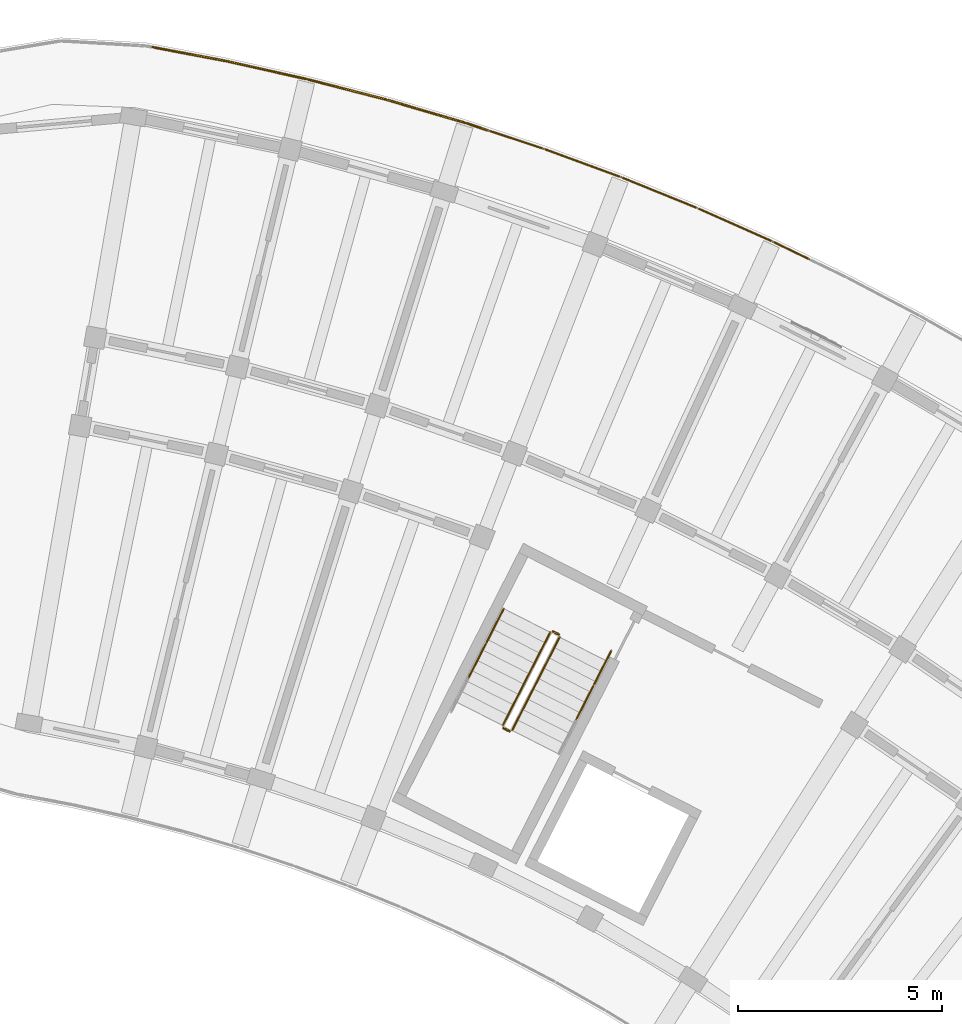
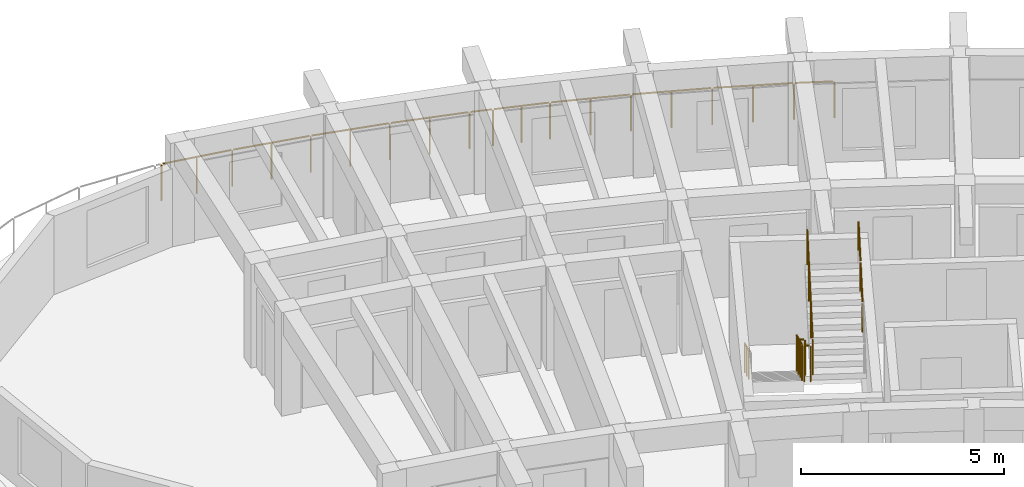
# One storey, part 55 of 56: 10 railings.
"""IFC4 building model written with IfcOpenShell, lengths in metres."""

from ifc_helpers import new_model, si_unit, direction, frame, origin, origin_2d, place, context, subcontext, project, spatial, circle, extrude, material, type_object, element, save


model = new_model("IFC4")

# Units and contexts
model_context = context("Model", 3, precision=1e-05, world=origin(), true_north=direction((0.0, 1.0)))
body_context = subcontext(model_context, "Body", "Model", "MODEL_VIEW")
ifc_project = project(units=[si_unit("LENGTHUNIT", "METRE"), si_unit("AREAUNIT", "SQUARE_METRE"), si_unit("VOLUMEUNIT", "CUBIC_METRE"), si_unit("PLANEANGLEUNIT", "RADIAN"), si_unit("MASSUNIT", "GRAM", prefix="KILO")], contexts=[model_context])

# Site, building, storey
site_placement = place(None, origin())
site = spatial("IfcSite", under=ifc_project, at=site_placement, CompositionType="ELEMENT")
building_placement = place(site_placement, origin())
building = spatial("IfcBuilding", under=site, at=building_placement, Name="Tanwirah Colonnade Gardens", CompositionType="ELEMENT")
storey_placement = place(building_placement, frame((0.0, 0.0, 29.0)))
storey = spatial("IfcBuildingStorey", under=building, at=storey_placement, Name="L08", CompositionType="ELEMENT", Elevation=29.0)

# Railings
ifc_material_1 = material(Name="Precast concrete C40/50", Category="concrete")
railing_type_1 = type_object("IfcRailingType", Name="BAL-EXT112", PredefinedType="BALUSTRADE", material=ifc_material_1)
railing_1_placement = place(storey_placement, frame((131.583740234375, 120.59716796875, 0.0)))
element("IfcRailing", 1, at=railing_1_placement, inside=storey, type_object=railing_type_1, Name="Block B L08 Balcony Ribbon Balustrade 10", PredefinedType="BALUSTRADE", context=body_context, shape_type="SweptSolid", body=[
    extrude(circle(Radius=0.02392578125, at=origin_2d()), frame((0.03076171875, -0.005859375, 1.09619140625), z_axis=(0.982531103402, -0.18609844397, 0.0), x_axis=(0.18609844397, 0.982531103402, 0.0)), (0.0, 0.0, 1.0), 1.785888671875),
    extrude(circle(Radius=0.02392578125, at=origin_2d()), frame((1.8466796875, -0.350830078125, 1.09619140625), z_axis=(0.975867729966, -0.218362482151, 0.0), x_axis=(0.218362482151, 0.975867729966, 0.0)), (0.0, 0.0, 1.0), 1.958984375),
    extrude(circle(Radius=0.02392578125, at=origin_2d()), frame((3.819091796875, -0.793212890625, 1.09619140625), z_axis=(0.968157509899, -0.250341838346, 0.0), x_axis=(0.250341838346, 0.968157509899, 0.0)), (0.0, 0.0, 1.0), 1.959228515625),
    extrude(circle(Radius=0.02392578125, at=origin_2d()), frame((5.776123046875, -1.30029296875, 1.09619140625), z_axis=(0.959371271211, -0.282146706477, 0.0), x_axis=(0.282146706477, 0.959371271211, 0.0)), (0.0, 0.0, 1.0), 1.958740234375),
    extrude(circle(Radius=0.02392578125, at=origin_2d()), frame((7.715087890625, -1.87158203125, 1.09619140625), z_axis=(0.949593999825, -0.313482432517, 0.0), x_axis=(0.313482432517, 0.949593999825, 0.0)), (0.0, 0.0, 1.0), 0.524658203125),
    extrude(circle(Radius=0.02099609375, at=origin_2d()), origin(), (0.0, 0.0, 1.0), 1.069091796875),
    extrude(circle(Radius=0.02099609375, at=origin_2d()), frame((0.908203125, -0.171875, 0.0)), (0.0, 0.0, 1.0), 1.069091796875),
    extrude(circle(Radius=0.02099609375, at=origin_2d()), frame((1.816162109375, -0.343994140625, 0.0)), (0.0, 0.0, 1.0), 1.069091796875),
    extrude(circle(Radius=0.02099609375, at=origin_2d()), frame((2.802490234375, -0.564697265625, 0.0)), (0.0, 0.0, 1.0), 1.069091796875),
    extrude(circle(Radius=0.02099609375, at=origin_2d()), frame((3.788818359375, -0.785400390625, 0.0)), (0.0, 0.0, 1.0), 1.069091796875),
    extrude(circle(Radius=0.02099609375, at=origin_2d()), frame((4.767578125, -1.03857421875, 0.0)), (0.0, 0.0, 1.0), 1.069091796875),
    extrude(circle(Radius=0.02099609375, at=origin_2d()), frame((5.74609375, -1.29150390625, 0.0)), (0.0, 0.0, 1.0), 1.069091796875),
    extrude(circle(Radius=0.02099609375, at=origin_2d()), frame((6.7158203125, -1.57666015625, 0.0)), (0.0, 0.0, 1.0), 1.069091796875),
    extrude(circle(Radius=0.02099609375, at=origin_2d()), frame((7.685302734375, -1.86181640625, 0.0)), (0.0, 0.0, 1.0), 1.069091796875),
    extrude(circle(Radius=0.02099609375, at=origin_2d()), frame((8.242919921875, -2.0458984375, 0.0)), (0.0, 0.0, 1.0), 1.069091796875),
])
railing_2_placement = place(storey_placement, frame((139.82666015625, 118.55126953125, 0.0)))
element("IfcRailing", 2, at=railing_2_placement, inside=storey, type_object=railing_type_1, Name="Block B L08 Balcony Ribbon Balustrade 11", PredefinedType="BALUSTRADE", context=body_context, shape_type="SweptSolid", body=[
    extrude(circle(Radius=0.02392578125, at=origin_2d()), frame((0.02978515625, -0.009765625, 1.09619140625), z_axis=(0.949514099594, -0.313724360981, 0.0), x_axis=(0.313724360981, 0.949514099594, 0.0)), (0.0, 0.0, 1.0), 1.37158203125),
    extrude(circle(Radius=0.02392578125, at=origin_2d()), frame((1.39111328125, -0.460693359375, 1.09619140625), z_axis=(0.938723993457, -0.344669789956, 0.0), x_axis=(0.344669789956, 0.938723993457, 0.0)), (0.0, 0.0, 1.0), 1.958984375),
    extrude(circle(Radius=0.02392578125, at=origin_2d()), frame((3.28857421875, -1.158447265625, 1.09619140625), z_axis=(0.926784720453, -0.375592973757, 0.0), x_axis=(0.375592973757, 0.926784720453, 0.0)), (0.0, 0.0, 1.0), 1.958984375),
    extrude(circle(Radius=0.02392578125, at=origin_2d()), frame((5.16162109375, -1.918701171875, 1.09619140625), z_axis=(0.913950953394, -0.405824660156, 0.0), x_axis=(0.405824660156, 0.913950953394, 0.0)), (0.0, 0.0, 1.0), 1.958740234375),
    extrude(circle(Radius=0.02392578125, at=origin_2d()), frame((7.008544921875, -2.739990234375, 1.09619140625), z_axis=(0.900060535791, -0.435764881457, 0.0), x_axis=(0.435764881457, 0.900060535791, 0.0)), (0.0, 0.0, 1.0), 0.938720703125),
    extrude(circle(Radius=0.02099609375, at=origin_2d()), origin(), (0.0, 0.0, 1.0), 1.069091796875),
    extrude(circle(Radius=0.02099609375, at=origin_2d()), frame((0.680908203125, -0.22509765625, 0.0)), (0.0, 0.0, 1.0), 1.069091796875),
    extrude(circle(Radius=0.02099609375, at=origin_2d()), frame((1.36181640625, -0.449951171875, 0.0)), (0.0, 0.0, 1.0), 1.069091796875),
    extrude(circle(Radius=0.02099609375, at=origin_2d()), frame((2.310546875, -0.79833984375, 0.0)), (0.0, 0.0, 1.0), 1.069091796875),
    extrude(circle(Radius=0.02099609375, at=origin_2d()), frame((3.259521484375, -1.146728515625, 0.0)), (0.0, 0.0, 1.0), 1.069091796875),
    extrude(circle(Radius=0.02099609375, at=origin_2d()), frame((4.1962890625, -1.5263671875, 0.0)), (0.0, 0.0, 1.0), 1.069091796875),
    extrude(circle(Radius=0.02099609375, at=origin_2d()), frame((5.133056640625, -1.906005859375, 0.0)), (0.0, 0.0, 1.0), 1.069091796875),
    extrude(circle(Radius=0.02099609375, at=origin_2d()), frame((6.056640625, -2.316162109375, 0.0)), (0.0, 0.0, 1.0), 1.069091796875),
    extrude(circle(Radius=0.02099609375, at=origin_2d()), frame((6.98046875, -2.726318359375, 0.0)), (0.0, 0.0, 1.0), 1.069091796875),
    extrude(circle(Radius=0.02099609375, at=origin_2d()), frame((7.881591796875, -3.16259765625, 0.0)), (0.0, 0.0, 1.0), 1.069091796875),
])
ifc_material_2 = material(Name="Powder-coated galvanized steel", Category="steel")
railing_type_2 = type_object("IfcRailingType", Name="GRD-ST110", PredefinedType="GUARDRAIL", material=ifc_material_2)
railing_3_placement = place(storey_placement, frame((141.344970703125, 106.230712890625, 0.16796875)))
element("IfcRailing", 3, at=railing_3_placement, inside=storey, type_object=railing_type_2, Name="L08 ST-B2 stair guard 1", PredefinedType="GUARDRAIL", context=body_context, shape_type="SweptSolid", body=[
    extrude(circle(Radius=0.02392578125, at=origin_2d()), frame((-0.01220703125, -0.02392578125, 1.092041015625), z_axis=(-0.3911222872, -0.767567239095, 0.507803003067), x_axis=(0.890993730975, -0.45401560696, 0.0)), (0.0, 0.0, 1.0), 2.9150390625),
    extrude(circle(Radius=0.02099609375, at=origin_2d()), origin(), (0.0, 0.0, 1.0), 1.049072265625),
    extrude(circle(Radius=0.02099609375, at=origin_2d()), frame((-0.38818359375, -0.76171875, 0.50390625)), (0.0, 0.0, 1.0), 1.049072265625),
    extrude(circle(Radius=0.02099609375, at=origin_2d()), frame((-0.7763671875, -1.523681640625, 1.008056640625)), (0.0, 0.0, 1.0), 1.049072265625),
    extrude(circle(Radius=0.02099609375, at=origin_2d()), frame((-1.16455078125, -2.285400390625, 1.511962890625)), (0.0, 0.0, 1.0), 1.049072265625),
])
railing_4_placement = place(storey_placement, frame((140.202392578125, 103.8779296875, 1.679931640625)))
element("IfcRailing", 4, at=railing_4_placement, inside=storey, type_object=railing_type_2, Name="L08 ST-B2 stair guard 2", PredefinedType="GUARDRAIL", context=body_context, shape_type="SweptSolid", body=[
    extrude(circle(Radius=0.02392578125, at=origin_2d()), frame((0.02783203125, -0.01416015625, 1.076171875), z_axis=(0.891353773095, -0.453308340084, 0.0), x_axis=(0.453308340084, 0.891353773095, 0.0)), (0.0, 0.0, 1.0), 0.097412109375),
    extrude(circle(Radius=0.02099609375, at=origin_2d()), origin(), (0.0, 0.0, 1.0), 1.049072265625),
    extrude(circle(Radius=0.02099609375, at=origin_2d()), frame((0.142578125, -0.072509765625, 0.0)), (0.0, 0.0, 1.0), 1.049072265625),
])
railing_5_placement = place(storey_placement, frame((140.412109375, 103.8271484375, 1.847900390625)))
element("IfcRailing", 5, at=railing_5_placement, inside=storey, type_object=railing_type_2, Name="L08 ST-B2 stair guard 3", PredefinedType="GUARDRAIL", context=body_context, shape_type="SweptSolid", body=[
    extrude(circle(Radius=0.02392578125, at=origin_2d()), frame((0.01220703125, 0.02392578125, 1.092041015625), z_axis=(0.391106001368, 0.767535278576, 0.507863851672), x_axis=(-0.890993730975, 0.45401560696, 0.0)), (0.0, 0.0, 1.0), 2.9150390625),
    extrude(circle(Radius=0.02099609375, at=origin_2d()), origin(), (0.0, 0.0, 1.0), 1.049072265625),
    extrude(circle(Radius=0.02099609375, at=origin_2d()), frame((0.38818359375, 0.76171875, 0.504150390625)), (0.0, 0.0, 1.0), 1.049072265625),
    extrude(circle(Radius=0.02099609375, at=origin_2d()), frame((0.7763671875, 1.523681640625, 1.008056640625)), (0.0, 0.0, 1.0), 1.049072265625),
    extrude(circle(Radius=0.02099609375, at=origin_2d()), frame((1.16455078125, 2.285400390625, 1.51220703125)), (0.0, 0.0, 1.0), 1.049072265625),
])
railing_6_placement = place(storey_placement, frame((141.412109375, 106.25244140625, 0.0)))
element("IfcRailing", 6, at=railing_6_placement, inside=storey, type_object=railing_type_2, Name="L08 ST-B2 stair guard 4", PredefinedType="GUARDRAIL", context=body_context, shape_type="SweptSolid", body=[
    extrude(circle(Radius=0.02392578125, at=origin_2d()), frame((0.02783203125, -0.01416015625, 1.076171875), z_axis=(0.891353773095, -0.453308340084, 0.0), x_axis=(0.453308340084, 0.891353773095, 0.0)), (0.0, 0.0, 1.0), 0.097412109375),
    extrude(circle(Radius=0.02099609375, at=origin_2d()), origin(), (0.0, 0.0, 1.0), 1.049072265625),
    extrude(circle(Radius=0.02099609375, at=origin_2d()), frame((0.142578125, -0.072509765625, 0.0)), (0.0, 0.0, 1.0), 1.049072265625),
])
ifc_material_3 = material(Name="Brushed bronze stainless steel", Category="steel")
railing_type_3 = type_object("IfcRailingType", Name="HR-ST090", PredefinedType="HANDRAIL", material=ifc_material_3)
railing_7_placement = place(storey_placement, frame((140.204345703125, 106.811767578125, 0.16796875)))
element("IfcRailing", 7, at=railing_7_placement, inside=storey, type_object=railing_type_3, Name="L08 ST-B2 stair handrail 1", PredefinedType="HANDRAIL", context=body_context, shape_type="SweptSolid", body=[
    extrude(circle(Radius=0.02392578125, at=origin_2d()), frame((-0.01220703125, -0.02392578125, 0.891845703125), z_axis=(-0.38993033558, -0.765508761867, 0.511811165275), x_axis=(0.891061070925, -0.453883429839, 0.0)), (0.0, 0.0, 1.0), 1.043212890625),
    extrude(circle(Radius=0.02099609375, at=origin_2d()), origin(), (0.0, 0.0, 1.0), 0.848876953125),
    extrude(circle(Radius=0.02099609375, at=origin_2d()), frame((-0.43115234375, -0.846435546875, 0.56591796875)), (0.0, 0.0, 1.0), 0.848876953125),
])
railing_8_placement = place(storey_placement, frame((139.773193359375, 105.96533203125, 0.73388671875)))
element("IfcRailing", 8, at=railing_8_placement, inside=storey, type_object=railing_type_3, Name="L08 ST-B2 stair handrail 2", PredefinedType="HANDRAIL", context=body_context, shape_type="SweptSolid", body=[
    extrude(circle(Radius=0.02392578125, at=origin_2d()), frame((-0.01220703125, -0.02392578125, 0.891845703125), z_axis=(-0.390073458003, -0.765356354779, 0.511930022133), x_axis=(0.890957114254, -0.454087459154, 0.0)), (0.0, 0.0, 1.0), 1.04345703125),
    extrude(circle(Radius=0.02099609375, at=origin_2d()), origin(), (0.0, 0.0, 1.0), 0.848876953125),
    extrude(circle(Radius=0.02099609375, at=origin_2d()), frame((-0.431396484375, -0.846435546875, 0.566162109375)), (0.0, 0.0, 1.0), 0.848876953125),
])
railing_9_placement = place(storey_placement, frame((141.98388671875, 104.092529296875, 2.4140625)))
element("IfcRailing", 9, at=railing_9_placement, inside=storey, type_object=railing_type_3, Name="L08 ST-B2 stair handrail 5", PredefinedType="HANDRAIL", context=body_context, shape_type="SweptSolid", body=[
    extrude(circle(Radius=0.02392578125, at=origin_2d()), frame((0.01220703125, 0.02392578125, 0.891845703125), z_axis=(0.390117538533, 0.765442844423, 0.51176709356), x_axis=(-0.890957114254, 0.454087459154, 0.0)), (0.0, 0.0, 1.0), 1.043212890625),
    extrude(circle(Radius=0.02099609375, at=origin_2d()), origin(), (0.0, 0.0, 1.0), 0.848876953125),
    extrude(circle(Radius=0.02099609375, at=origin_2d()), frame((0.431396484375, 0.846435546875, 0.56591796875)), (0.0, 0.0, 1.0), 0.848876953125),
])
railing_10_placement = place(storey_placement, frame((142.415283203125, 104.93896484375, 2.97998046875)))
element("IfcRailing", 10, at=railing_10_placement, inside=storey, type_object=railing_type_3, Name="L08 ST-B2 stair handrail 6", PredefinedType="HANDRAIL", context=body_context, shape_type="SweptSolid", body=[
    extrude(circle(Radius=0.02392578125, at=origin_2d()), frame((0.01220703125, 0.02392578125, 0.891845703125), z_axis=(0.38993033558, 0.765508761867, 0.511811165275), x_axis=(-0.891061070925, 0.453883429839, 0.0)), (0.0, 0.0, 1.0), 1.043212890625),
    extrude(circle(Radius=0.02099609375, at=origin_2d()), origin(), (0.0, 0.0, 1.0), 0.848876953125),
    extrude(circle(Radius=0.02099609375, at=origin_2d()), frame((0.43115234375, 0.846435546875, 0.56591796875)), (0.0, 0.0, 1.0), 0.848876953125),
])

save(model, "model.ifc")
